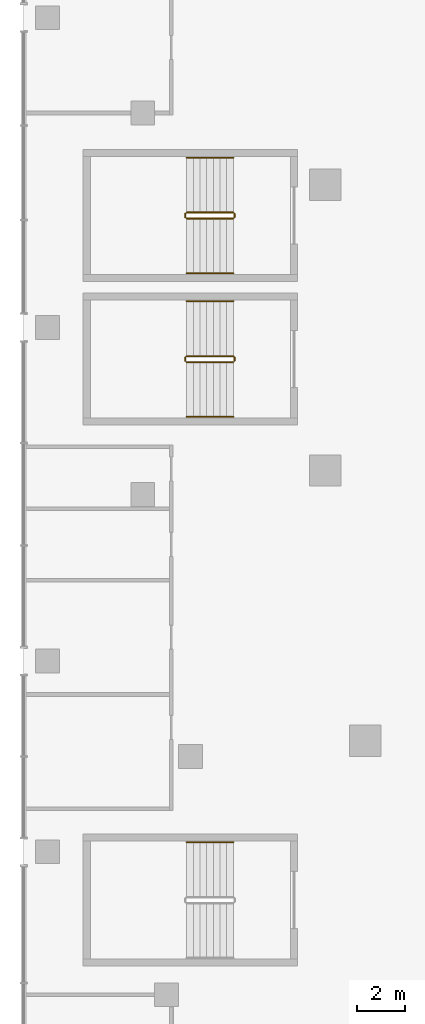
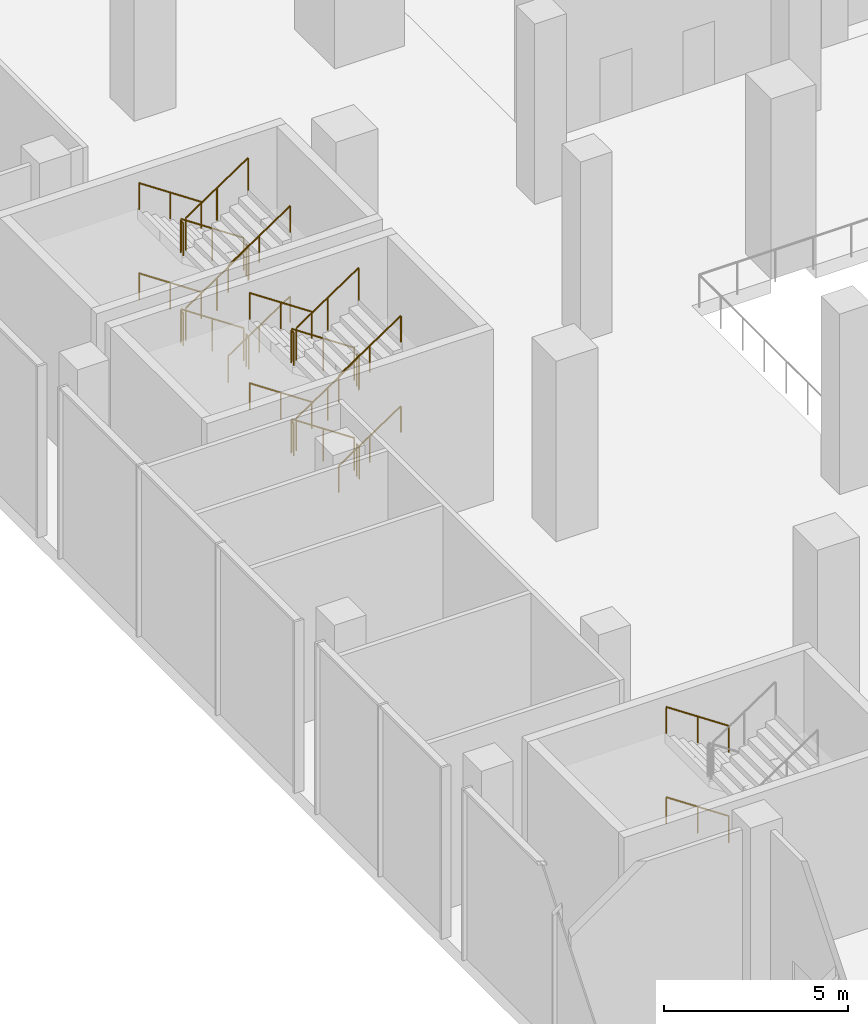
# One storey, part 24 of 30: 26 railings.
"""IFC4 building model written with IfcOpenShell, lengths in metres."""

from ifc_helpers import new_model, si_unit, direction, frame, origin, origin_2d, place, context, subcontext, project, spatial, circle, extrude, material, type_object, element, save


model = new_model("IFC4")

# Units and contexts
model_context = context("Model", 3, precision=1e-05, world=origin(), true_north=direction((0.0, 1.0)))
body_context = subcontext(model_context, "Body", "Model", "MODEL_VIEW")
ifc_project = project(units=[si_unit("LENGTHUNIT", "METRE"), si_unit("AREAUNIT", "SQUARE_METRE"), si_unit("VOLUMEUNIT", "CUBIC_METRE"), si_unit("PLANEANGLEUNIT", "RADIAN"), si_unit("MASSUNIT", "GRAM", prefix="KILO")], contexts=[model_context])

# Site, building, storey
site_placement = place(None, origin())
site = spatial("IfcSite", under=ifc_project, at=site_placement, CompositionType="ELEMENT")
building_placement = place(site_placement, origin())
building = spatial("IfcBuilding", under=site, at=building_placement, Name="Wharfspan Tower", CompositionType="ELEMENT")
storey_placement = place(building_placement, frame((0.0, 0.0, 21.5)))
storey = spatial("IfcBuildingStorey", under=building, at=storey_placement, Name="L03", CompositionType="ELEMENT", Elevation=21.5)

# Railings
ifc_material = material(Name="Steel S355J2", Category="steel")
railing_type_1 = type_object("IfcRailingType", Name="Podium guard 1100", PredefinedType="GUARDRAIL", material=ifc_material)
railing_1_placement = place(storey_placement, frame((-3.199951, 22.800049, 0.1875)))
element("IfcRailing", 1, at=railing_1_placement, inside=storey, type_object=railing_type_1, Name="L03 AS3 stair guard 1", PredefinedType="GUARDRAIL", context=body_context, shape_type="SweptSolid", body=[
    extrude(circle(Radius=0.023926, at=origin_2d()), frame((0.0, 0.0, 1.076172), z_axis=(-0.830902, 0.0, 0.556419), x_axis=(0.0, -1.0, 0.0)), (0.0, 0.0, 1.0), 2.358887),
    extrude(circle(Radius=0.020996, at=origin_2d()), origin(), (0.0, 0.0, 1.0), 1.052002),
    extrude(circle(Radius=0.020996, at=origin_2d()), frame((-0.97998, 0.0, 0.65625)), (0.0, 0.0, 1.0), 1.052002),
    extrude(circle(Radius=0.020996, at=origin_2d()), frame((-1.959961, 0.0, 1.3125)), (0.0, 0.0, 1.0), 1.052002),
])
railing_2_placement = place(storey_placement, frame((-5.209961, 22.75, 1.5)))
element("IfcRailing", 2, at=railing_2_placement, inside=storey, type_object=railing_type_1, Name="L03 AS3 stair guard 2", PredefinedType="GUARDRAIL", context=body_context, shape_type="SweptSolid", body=[
    extrude(circle(Radius=0.023926, at=origin_2d()), frame((0.0, 0.0, 1.076172), z_axis=(0.0, -1.0, 0.0), x_axis=(1.0, 0.0, 0.0)), (0.0, 0.0, 1.0), 0.149902),
    extrude(circle(Radius=0.020996, at=origin_2d()), origin(), (0.0, 0.0, 1.0), 1.052002),
    extrude(circle(Radius=0.020996, at=origin_2d()), frame((0.0, -0.149902, 0.0)), (0.0, 0.0, 1.0), 1.052002),
])
railing_3_placement = place(storey_placement, frame((-5.159912, 22.550049, 1.6875)))
element("IfcRailing", 3, at=railing_3_placement, inside=storey, type_object=railing_type_1, Name="L03 AS3 stair guard 3", PredefinedType="GUARDRAIL", context=body_context, shape_type="SweptSolid", body=[
    extrude(circle(Radius=0.023926, at=origin_2d()), frame((0.0, 0.0, 1.076172), z_axis=(0.830902, 0.0, 0.556419), x_axis=(0.0, 1.0, 0.0)), (0.0, 0.0, 1.0), 2.358887),
    extrude(circle(Radius=0.020996, at=origin_2d()), origin(), (0.0, 0.0, 1.0), 1.052002),
    extrude(circle(Radius=0.020996, at=origin_2d()), frame((0.97998, 0.0, 0.65625)), (0.0, 0.0, 1.0), 1.052002),
    extrude(circle(Radius=0.020996, at=origin_2d()), frame((1.959961, 0.0, 1.3125)), (0.0, 0.0, 1.0), 1.052002),
])
railing_4_placement = place(storey_placement, frame((-3.149902, 22.75, 3.0)))
element("IfcRailing", 4, at=railing_4_placement, inside=storey, type_object=railing_type_1, Name="L03 AS3 stair guard 4", PredefinedType="GUARDRAIL", context=body_context, shape_type="SweptSolid", body=[
    extrude(circle(Radius=0.023926, at=origin_2d()), frame((0.0, 0.0, 1.076172), z_axis=(0.0, -1.0, 0.0), x_axis=(1.0, 0.0, 0.0)), (0.0, 0.0, 1.0), 0.149902),
    extrude(circle(Radius=0.020996, at=origin_2d()), origin(), (0.0, 0.0, 1.0), 1.052002),
    extrude(circle(Radius=0.020996, at=origin_2d()), frame((0.0, -0.149902, 0.0)), (0.0, 0.0, 1.0), 1.052002),
])
railing_5_placement = place(storey_placement, frame((-3.199951, 22.800049, 3.1875)))
element("IfcRailing", 5, at=railing_5_placement, inside=storey, type_object=railing_type_1, Name="L03 AS3 stair guard 5", PredefinedType="GUARDRAIL", context=body_context, shape_type="SweptSolid", body=[
    extrude(circle(Radius=0.023926, at=origin_2d()), frame((0.0, 0.0, 1.076172), z_axis=(-0.830902, 0.0, 0.556419), x_axis=(0.0, -1.0, 0.0)), (0.0, 0.0, 1.0), 2.358887),
    extrude(circle(Radius=0.020996, at=origin_2d()), origin(), (0.0, 0.0, 1.0), 1.052002),
    extrude(circle(Radius=0.020996, at=origin_2d()), frame((-0.97998, 0.0, 0.65625)), (0.0, 0.0, 1.0), 1.052002),
    extrude(circle(Radius=0.020996, at=origin_2d()), frame((-1.959961, 0.0, 1.3125)), (0.0, 0.0, 1.0), 1.052002),
])
railing_6_placement = place(storey_placement, frame((-5.209961, 22.75, 4.5)))
element("IfcRailing", 6, at=railing_6_placement, inside=storey, type_object=railing_type_1, Name="L03 AS3 stair guard 6", PredefinedType="GUARDRAIL", context=body_context, shape_type="SweptSolid", body=[
    extrude(circle(Radius=0.023926, at=origin_2d()), frame((0.0, 0.0, 1.076172), z_axis=(0.0, -1.0, 0.0), x_axis=(1.0, 0.0, 0.0)), (0.0, 0.0, 1.0), 0.149902),
    extrude(circle(Radius=0.020996, at=origin_2d()), origin(), (0.0, 0.0, 1.0), 1.052002),
    extrude(circle(Radius=0.020996, at=origin_2d()), frame((0.0, -0.149902, 0.0)), (0.0, 0.0, 1.0), 1.052002),
])
railing_7_placement = place(storey_placement, frame((-5.159912, 22.550049, 4.6875)))
element("IfcRailing", 7, at=railing_7_placement, inside=storey, type_object=railing_type_1, Name="L03 AS3 stair guard 7", PredefinedType="GUARDRAIL", context=body_context, shape_type="SweptSolid", body=[
    extrude(circle(Radius=0.023926, at=origin_2d()), frame((0.0, 0.0, 1.076172), z_axis=(0.830902, 0.0, 0.556419), x_axis=(0.0, 1.0, 0.0)), (0.0, 0.0, 1.0), 2.358887),
    extrude(circle(Radius=0.020996, at=origin_2d()), origin(), (0.0, 0.0, 1.0), 1.052002),
    extrude(circle(Radius=0.020996, at=origin_2d()), frame((0.97998, 0.0, 0.65625)), (0.0, 0.0, 1.0), 1.052002),
    extrude(circle(Radius=0.020996, at=origin_2d()), frame((1.959961, 0.0, 1.3125)), (0.0, 0.0, 1.0), 1.052002),
])
railing_8_placement = place(storey_placement, frame((-3.149902, 22.75, 0.0)))
element("IfcRailing", 8, at=railing_8_placement, inside=storey, type_object=railing_type_1, Name="L03 AS3 stair guard 8", PredefinedType="GUARDRAIL", context=body_context, shape_type="SweptSolid", body=[
    extrude(circle(Radius=0.023926, at=origin_2d()), frame((0.0, 0.0, 1.076172), z_axis=(0.0, -1.0, 0.0), x_axis=(1.0, 0.0, 0.0)), (0.0, 0.0, 1.0), 0.149902),
    extrude(circle(Radius=0.020996, at=origin_2d()), origin(), (0.0, 0.0, 1.0), 1.052002),
    extrude(circle(Radius=0.020996, at=origin_2d()), frame((0.0, -0.149902, 0.0)), (0.0, 0.0, 1.0), 1.052002),
])
railing_9_placement = place(storey_placement, frame((-3.199951, 28.824951, 0.1875)))
element("IfcRailing", 9, at=railing_9_placement, inside=storey, type_object=railing_type_1, Name="L03 PS3 stair guard 1", PredefinedType="GUARDRAIL", context=body_context, shape_type="SweptSolid", body=[
    extrude(circle(Radius=0.023926, at=origin_2d()), frame((0.0, 0.0, 1.076172), z_axis=(-0.830902, 0.0, 0.556419), x_axis=(0.0, -1.0, 0.0)), (0.0, 0.0, 1.0), 2.358887),
    extrude(circle(Radius=0.020996, at=origin_2d()), origin(), (0.0, 0.0, 1.0), 1.052002),
    extrude(circle(Radius=0.020996, at=origin_2d()), frame((-0.97998, 0.0, 0.65625)), (0.0, 0.0, 1.0), 1.052002),
    extrude(circle(Radius=0.020996, at=origin_2d()), frame((-1.959961, 0.0, 1.3125)), (0.0, 0.0, 1.0), 1.052002),
])
railing_10_placement = place(storey_placement, frame((-5.209961, 28.774902, 1.5)))
element("IfcRailing", 10, at=railing_10_placement, inside=storey, type_object=railing_type_1, Name="L03 PS3 stair guard 2", PredefinedType="GUARDRAIL", context=body_context, shape_type="SweptSolid", body=[
    extrude(circle(Radius=0.023926, at=origin_2d()), frame((0.0, 0.0, 1.076172), z_axis=(0.0, -1.0, 0.0), x_axis=(1.0, 0.0, 0.0)), (0.0, 0.0, 1.0), 0.149902),
    extrude(circle(Radius=0.020996, at=origin_2d()), origin(), (0.0, 0.0, 1.0), 1.052002),
    extrude(circle(Radius=0.020996, at=origin_2d()), frame((0.0, -0.149902, 0.0)), (0.0, 0.0, 1.0), 1.052002),
])
railing_11_placement = place(storey_placement, frame((-5.159912, 28.574951, 1.6875)))
element("IfcRailing", 11, at=railing_11_placement, inside=storey, type_object=railing_type_1, Name="L03 PS3 stair guard 3", PredefinedType="GUARDRAIL", context=body_context, shape_type="SweptSolid", body=[
    extrude(circle(Radius=0.023926, at=origin_2d()), frame((0.0, 0.0, 1.076172), z_axis=(0.830902, 0.0, 0.556419), x_axis=(0.0, 1.0, 0.0)), (0.0, 0.0, 1.0), 2.358887),
    extrude(circle(Radius=0.020996, at=origin_2d()), origin(), (0.0, 0.0, 1.0), 1.052002),
    extrude(circle(Radius=0.020996, at=origin_2d()), frame((0.97998, 0.0, 0.65625)), (0.0, 0.0, 1.0), 1.052002),
    extrude(circle(Radius=0.020996, at=origin_2d()), frame((1.959961, 0.0, 1.3125)), (0.0, 0.0, 1.0), 1.052002),
])
railing_12_placement = place(storey_placement, frame((-3.149902, 28.774902, 3.0)))
element("IfcRailing", 12, at=railing_12_placement, inside=storey, type_object=railing_type_1, Name="L03 PS3 stair guard 4", PredefinedType="GUARDRAIL", context=body_context, shape_type="SweptSolid", body=[
    extrude(circle(Radius=0.023926, at=origin_2d()), frame((0.0, 0.0, 1.076172), z_axis=(0.0, -1.0, 0.0), x_axis=(1.0, 0.0, 0.0)), (0.0, 0.0, 1.0), 0.149902),
    extrude(circle(Radius=0.020996, at=origin_2d()), origin(), (0.0, 0.0, 1.0), 1.052002),
    extrude(circle(Radius=0.020996, at=origin_2d()), frame((0.0, -0.149902, 0.0)), (0.0, 0.0, 1.0), 1.052002),
])
railing_13_placement = place(storey_placement, frame((-3.199951, 28.824951, 3.1875)))
element("IfcRailing", 13, at=railing_13_placement, inside=storey, type_object=railing_type_1, Name="L03 PS3 stair guard 5", PredefinedType="GUARDRAIL", context=body_context, shape_type="SweptSolid", body=[
    extrude(circle(Radius=0.023926, at=origin_2d()), frame((0.0, 0.0, 1.076172), z_axis=(-0.830902, 0.0, 0.556419), x_axis=(0.0, -1.0, 0.0)), (0.0, 0.0, 1.0), 2.358887),
    extrude(circle(Radius=0.020996, at=origin_2d()), origin(), (0.0, 0.0, 1.0), 1.052002),
    extrude(circle(Radius=0.020996, at=origin_2d()), frame((-0.97998, 0.0, 0.65625)), (0.0, 0.0, 1.0), 1.052002),
    extrude(circle(Radius=0.020996, at=origin_2d()), frame((-1.959961, 0.0, 1.3125)), (0.0, 0.0, 1.0), 1.052002),
])
railing_14_placement = place(storey_placement, frame((-5.209961, 28.774902, 4.5)))
element("IfcRailing", 14, at=railing_14_placement, inside=storey, type_object=railing_type_1, Name="L03 PS3 stair guard 6", PredefinedType="GUARDRAIL", context=body_context, shape_type="SweptSolid", body=[
    extrude(circle(Radius=0.023926, at=origin_2d()), frame((0.0, 0.0, 1.076172), z_axis=(0.0, -1.0, 0.0), x_axis=(1.0, 0.0, 0.0)), (0.0, 0.0, 1.0), 0.149902),
    extrude(circle(Radius=0.020996, at=origin_2d()), origin(), (0.0, 0.0, 1.0), 1.052002),
    extrude(circle(Radius=0.020996, at=origin_2d()), frame((0.0, -0.149902, 0.0)), (0.0, 0.0, 1.0), 1.052002),
])
railing_15_placement = place(storey_placement, frame((-5.159912, 28.574951, 4.6875)))
element("IfcRailing", 15, at=railing_15_placement, inside=storey, type_object=railing_type_1, Name="L03 PS3 stair guard 7", PredefinedType="GUARDRAIL", context=body_context, shape_type="SweptSolid", body=[
    extrude(circle(Radius=0.023926, at=origin_2d()), frame((0.0, 0.0, 1.076172), z_axis=(0.830902, 0.0, 0.556419), x_axis=(0.0, 1.0, 0.0)), (0.0, 0.0, 1.0), 2.358887),
    extrude(circle(Radius=0.020996, at=origin_2d()), origin(), (0.0, 0.0, 1.0), 1.052002),
    extrude(circle(Radius=0.020996, at=origin_2d()), frame((0.97998, 0.0, 0.65625)), (0.0, 0.0, 1.0), 1.052002),
    extrude(circle(Radius=0.020996, at=origin_2d()), frame((1.959961, 0.0, 1.3125)), (0.0, 0.0, 1.0), 1.052002),
])
railing_16_placement = place(storey_placement, frame((-3.149902, 28.774902, 0.0)))
element("IfcRailing", 16, at=railing_16_placement, inside=storey, type_object=railing_type_1, Name="L03 PS3 stair guard 8", PredefinedType="GUARDRAIL", context=body_context, shape_type="SweptSolid", body=[
    extrude(circle(Radius=0.023926, at=origin_2d()), frame((0.0, 0.0, 1.076172), z_axis=(0.0, -1.0, 0.0), x_axis=(1.0, 0.0, 0.0)), (0.0, 0.0, 1.0), 0.149902),
    extrude(circle(Radius=0.020996, at=origin_2d()), origin(), (0.0, 0.0, 1.0), 1.052002),
    extrude(circle(Radius=0.020996, at=origin_2d()), frame((0.0, -0.149902, 0.0)), (0.0, 0.0, 1.0), 1.052002),
])
railing_type_2 = type_object("IfcRailingType", Name="Podium stair handrail 900", PredefinedType="HANDRAIL", material=ifc_material)
for number, where, name in (
    (17, (-3.199951, 2.399902, 0.1875), "L03 AS7 stair handrail 1"),
    (18, (-3.199951, 2.399902, 3.1875), "L03 AS7 stair handrail 3"),
    (19, (-3.199951, 25.100098, 0.1875), "L03 AS3 stair handrail 1"),
):
    element("IfcRailing", number, at=place(storey_placement, frame(where)), inside=storey, type_object=railing_type_2, Name=name, PredefinedType="HANDRAIL", context=body_context, shape_type="SweptSolid", body=[
        extrude(circle(Radius=0.023926, at=origin_2d()), frame((0.0, 0.0, 0.875977), z_axis=(-0.830902, 0.0, 0.556419), x_axis=(0.0, -1.0, 0.0)), (0.0, 0.0, 1.0), 2.358887),
        extrude(circle(Radius=0.020996, at=origin_2d()), origin(), (0.0, 0.0, 1.0), 0.851807),
        extrude(circle(Radius=0.020996, at=origin_2d()), frame((-0.97998, 0.0, 0.65625)), (0.0, 0.0, 1.0), 0.851807),
        extrude(circle(Radius=0.020996, at=origin_2d()), frame((-1.959961, 0.0, 1.3125)), (0.0, 0.0, 1.0), 0.851807),
    ])
railing_17_placement = place(storey_placement, frame((-5.159912, 20.25, 1.6875)))
element("IfcRailing", 20, at=railing_17_placement, inside=storey, type_object=railing_type_2, Name="L03 AS3 stair handrail 2", PredefinedType="HANDRAIL", context=body_context, shape_type="SweptSolid", body=[
    extrude(circle(Radius=0.023926, at=origin_2d()), frame((0.0, 0.0, 0.875977), z_axis=(0.830902, 0.0, 0.556419), x_axis=(0.0, 1.0, 0.0)), (0.0, 0.0, 1.0), 2.358887),
    extrude(circle(Radius=0.020996, at=origin_2d()), origin(), (0.0, 0.0, 1.0), 0.851807),
    extrude(circle(Radius=0.020996, at=origin_2d()), frame((0.97998, 0.0, 0.65625)), (0.0, 0.0, 1.0), 0.851807),
    extrude(circle(Radius=0.020996, at=origin_2d()), frame((1.959961, 0.0, 1.3125)), (0.0, 0.0, 1.0), 0.851807),
])
railing_18_placement = place(storey_placement, frame((-3.199951, 25.100098, 3.1875)))
element("IfcRailing", 21, at=railing_18_placement, inside=storey, type_object=railing_type_2, Name="L03 AS3 stair handrail 3", PredefinedType="HANDRAIL", context=body_context, shape_type="SweptSolid", body=[
    extrude(circle(Radius=0.023926, at=origin_2d()), frame((0.0, 0.0, 0.875977), z_axis=(-0.830902, 0.0, 0.556419), x_axis=(0.0, -1.0, 0.0)), (0.0, 0.0, 1.0), 2.358887),
    extrude(circle(Radius=0.020996, at=origin_2d()), origin(), (0.0, 0.0, 1.0), 0.851807),
    extrude(circle(Radius=0.020996, at=origin_2d()), frame((-0.97998, 0.0, 0.65625)), (0.0, 0.0, 1.0), 0.851807),
    extrude(circle(Radius=0.020996, at=origin_2d()), frame((-1.959961, 0.0, 1.3125)), (0.0, 0.0, 1.0), 0.851807),
])
railing_19_placement = place(storey_placement, frame((-5.159912, 20.25, 4.6875)))
element("IfcRailing", 22, at=railing_19_placement, inside=storey, type_object=railing_type_2, Name="L03 AS3 stair handrail 4", PredefinedType="HANDRAIL", context=body_context, shape_type="SweptSolid", body=[
    extrude(circle(Radius=0.023926, at=origin_2d()), frame((0.0, 0.0, 0.875977), z_axis=(0.830902, 0.0, 0.556419), x_axis=(0.0, 1.0, 0.0)), (0.0, 0.0, 1.0), 2.358887),
    extrude(circle(Radius=0.020996, at=origin_2d()), origin(), (0.0, 0.0, 1.0), 0.851807),
    extrude(circle(Radius=0.020996, at=origin_2d()), frame((0.97998, 0.0, 0.65625)), (0.0, 0.0, 1.0), 0.851807),
    extrude(circle(Radius=0.020996, at=origin_2d()), frame((1.959961, 0.0, 1.3125)), (0.0, 0.0, 1.0), 0.851807),
])
railing_20_placement = place(storey_placement, frame((-3.199951, 31.125, 0.1875)))
element("IfcRailing", 23, at=railing_20_placement, inside=storey, type_object=railing_type_2, Name="L03 PS3 stair handrail 1", PredefinedType="HANDRAIL", context=body_context, shape_type="SweptSolid", body=[
    extrude(circle(Radius=0.023926, at=origin_2d()), frame((0.0, 0.0, 0.875977), z_axis=(-0.830902, 0.0, 0.556419), x_axis=(0.0, -1.0, 0.0)), (0.0, 0.0, 1.0), 2.358887),
    extrude(circle(Radius=0.020996, at=origin_2d()), origin(), (0.0, 0.0, 1.0), 0.851807),
    extrude(circle(Radius=0.020996, at=origin_2d()), frame((-0.97998, 0.0, 0.65625)), (0.0, 0.0, 1.0), 0.851807),
    extrude(circle(Radius=0.020996, at=origin_2d()), frame((-1.959961, 0.0, 1.3125)), (0.0, 0.0, 1.0), 0.851807),
])
railing_21_placement = place(storey_placement, frame((-5.159912, 26.274902, 1.6875)))
element("IfcRailing", 24, at=railing_21_placement, inside=storey, type_object=railing_type_2, Name="L03 PS3 stair handrail 2", PredefinedType="HANDRAIL", context=body_context, shape_type="SweptSolid", body=[
    extrude(circle(Radius=0.023926, at=origin_2d()), frame((0.0, 0.0, 0.875977), z_axis=(0.830902, 0.0, 0.556419), x_axis=(0.0, 1.0, 0.0)), (0.0, 0.0, 1.0), 2.358887),
    extrude(circle(Radius=0.020996, at=origin_2d()), origin(), (0.0, 0.0, 1.0), 0.851807),
    extrude(circle(Radius=0.020996, at=origin_2d()), frame((0.97998, 0.0, 0.65625)), (0.0, 0.0, 1.0), 0.851807),
    extrude(circle(Radius=0.020996, at=origin_2d()), frame((1.959961, 0.0, 1.3125)), (0.0, 0.0, 1.0), 0.851807),
])
railing_22_placement = place(storey_placement, frame((-3.199951, 31.125, 3.1875)))
element("IfcRailing", 25, at=railing_22_placement, inside=storey, type_object=railing_type_2, Name="L03 PS3 stair handrail 3", PredefinedType="HANDRAIL", context=body_context, shape_type="SweptSolid", body=[
    extrude(circle(Radius=0.023926, at=origin_2d()), frame((0.0, 0.0, 0.875977), z_axis=(-0.830902, 0.0, 0.556419), x_axis=(0.0, -1.0, 0.0)), (0.0, 0.0, 1.0), 2.358887),
    extrude(circle(Radius=0.020996, at=origin_2d()), origin(), (0.0, 0.0, 1.0), 0.851807),
    extrude(circle(Radius=0.020996, at=origin_2d()), frame((-0.97998, 0.0, 0.65625)), (0.0, 0.0, 1.0), 0.851807),
    extrude(circle(Radius=0.020996, at=origin_2d()), frame((-1.959961, 0.0, 1.3125)), (0.0, 0.0, 1.0), 0.851807),
])
railing_23_placement = place(storey_placement, frame((-5.159912, 26.274902, 4.6875)))
element("IfcRailing", 26, at=railing_23_placement, inside=storey, type_object=railing_type_2, Name="L03 PS3 stair handrail 4", PredefinedType="HANDRAIL", context=body_context, shape_type="SweptSolid", body=[
    extrude(circle(Radius=0.023926, at=origin_2d()), frame((0.0, 0.0, 0.875977), z_axis=(0.830902, 0.0, 0.556419), x_axis=(0.0, 1.0, 0.0)), (0.0, 0.0, 1.0), 2.358887),
    extrude(circle(Radius=0.020996, at=origin_2d()), origin(), (0.0, 0.0, 1.0), 0.851807),
    extrude(circle(Radius=0.020996, at=origin_2d()), frame((0.97998, 0.0, 0.65625)), (0.0, 0.0, 1.0), 0.851807),
    extrude(circle(Radius=0.020996, at=origin_2d()), frame((1.959961, 0.0, 1.3125)), (0.0, 0.0, 1.0), 0.851807),
])

save(model, "model.ifc")
